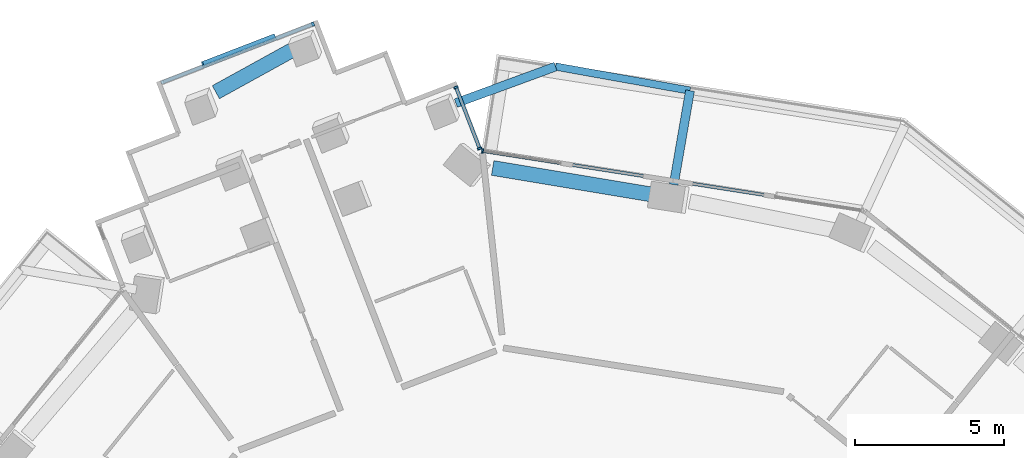
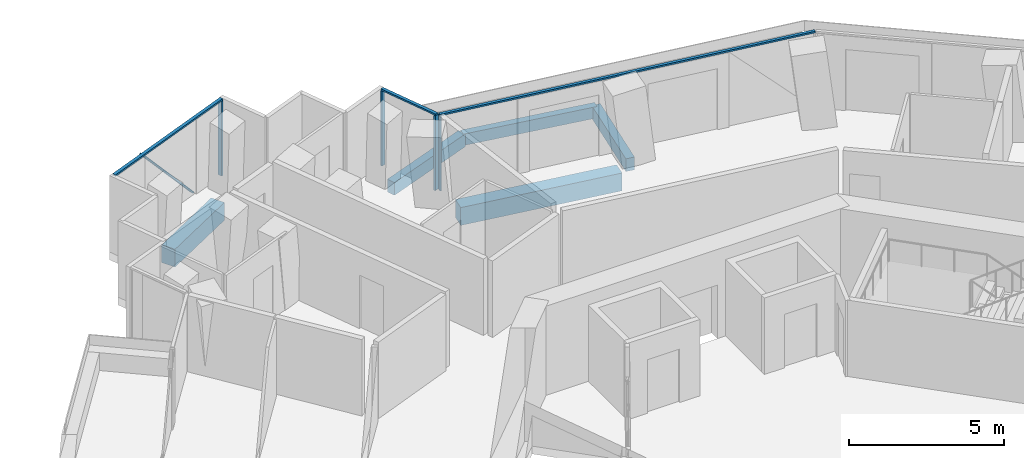
# One storey, part 8 of 23: 8 members, 5 beams, 3 elements without a shape of their own.
"""IFC4 building model written with IfcOpenShell, lengths in metres."""

from ifc_helpers import new_model, si_unit, direction, frame, origin, origin_2d, place, context, subcontext, project, spatial, rectangle, extrude, material, layer, layer_set, material_profile, profile_set, type_object, element, aggregate, save


model = new_model("IFC4")

# Units and contexts
model_context = context("Model", 3, precision=1e-05, world=origin(), true_north=direction((0.0, 1.0)))
body_context = subcontext(model_context, "Body", "Model", "MODEL_VIEW")
ifc_project = project(units=[si_unit("LENGTHUNIT", "METRE"), si_unit("AREAUNIT", "SQUARE_METRE"), si_unit("VOLUMEUNIT", "CUBIC_METRE"), si_unit("PLANEANGLEUNIT", "RADIAN"), si_unit("MASSUNIT", "GRAM", prefix="KILO")], contexts=[model_context])

# Site, building, storey
site_placement = place(None, origin())
site = spatial("IfcSite", under=ifc_project, at=site_placement, CompositionType="ELEMENT")
building_placement = place(site_placement, origin())
building = spatial("IfcBuilding", under=site, at=building_placement, Name="Verdalira Terraces Hotel", CompositionType="ELEMENT")
storey_placement = place(building_placement, frame((0.0, 0.0, 118.5)))
storey = spatial("IfcBuildingStorey", under=building, at=storey_placement, Name="L28", CompositionType="ELEMENT", Elevation=118.5)

# Beams
ifc_material_1 = material(Name="Concrete C40", Category="concrete")
ifc_material_profile_1 = material_profile(ifc_material_1, rectangle(XDim=0.300049, YDim=0.5, at=origin_2d()), Name="RC 300X500")
ifc_profile_set_1 = profile_set([ifc_material_profile_1], Name="Concrete C40")
beam_type_1 = type_object("IfcBeamType", Name="Balcony cantilever beam RC 300X500 C40", PredefinedType="BEAM", material=ifc_profile_set_1)
beam_1_placement = place(storey_placement, frame((3.755859, 23.762939, -0.560059), z_axis=(0.170851886, 0.985296723, 0.0), x_axis=(-0.985296723, 0.170851886, 0.0)))
element("IfcBeam", 1, at=beam_1_placement, inside=storey, type_object=beam_type_1, Name="Balcony cantilever beam R40-4", PredefinedType="BEAM", context=body_context, shape_type="SweptSolid", body=[
    extrude(rectangle(XDim=0.300049, YDim=0.5, at=origin_2d()), origin(), (0.0, 0.0, 1.0), 3.200928),
])
beam_2_placement = place(storey_placement, frame((-3.557373, 26.497314, -0.560059), z_axis=(0.938743461, 0.344616764, 0.0), x_axis=(-0.344616764, 0.938743461, 0.0)))
element("IfcBeam", 2, at=beam_2_placement, inside=storey, type_object=beam_type_1, Name="Balcony cantilever beam R40-5", PredefinedType="BEAM", context=body_context, shape_type="SweptSolid", body=[
    extrude(rectangle(XDim=0.300049, YDim=0.5, at=origin_2d()), origin(), (0.0, 0.0, 1.0), 3.565674),
])
ifc_material_2 = material(Name="Concrete C40", Category="concrete")
ifc_material_profile_2 = material_profile(ifc_material_2, rectangle(XDim=0.25, YDim=0.449951, at=origin_2d()), Name="RC 250X450")
ifc_profile_set_2 = profile_set([ifc_material_profile_2], Name="Concrete C40")
beam_type_2 = type_object("IfcBeamType", Name="Balcony edge beam RC 250X450 C40", PredefinedType="BEAM", material=ifc_profile_set_2)
beam_3_placement = place(storey_placement, frame((4.302734, 26.916748, -0.534912), z_axis=(-0.984297312, 0.17651856, 0.0), x_axis=(-0.17651856, -0.984297312, 0.0)))
element("IfcBeam", 3, at=beam_3_placement, inside=storey, type_object=beam_type_2, Name="Balcony edge beam R40-4", PredefinedType="BEAM", context=body_context, shape_type="SweptSolid", body=[
    extrude(rectangle(XDim=0.25, YDim=0.449951, at=origin_2d()), origin(), (0.0, 0.0, 1.0), 4.584961),
])

# Curtain wall, members
ifc_material_3 = material(Name="Clear glass", Category="glass")
ifc_layer_1 = layer(ifc_material_3, 0.14990234375)
ifc_layer_set_1 = layer_set([ifc_layer_1], Name="CW1 curtain wall")
curtain_wall_type_1 = type_object("IfcCurtainWallType", Name="CW1 curtain wall", PredefinedType="NOTDEFINED", material=ifc_layer_set_1)
curtain_wall_1_placement = place(storey_placement, origin())
curtain_wall_1 = element("IfcCurtainWall", 4, at=curtain_wall_1_placement, inside=storey, type_object=curtain_wall_type_1, Name="CW1 curtain wall L28 edge 41", PredefinedType="NOTDEFINED")
ifc_material_4 = material(Name="Terracotta frame", Category="masonry")
ifc_material_profile_3 = material_profile(ifc_material_4, rectangle(XDim=0.060059, YDim=0.149902, at=origin_2d()), Name="MU 60x150")
ifc_profile_set_3 = profile_set([ifc_material_profile_3], Name="Terracotta frame")
member_type_1 = type_object("IfcMemberType", Name="CW1 mullion 60x150", PredefinedType="MULLION", material=ifc_profile_set_3)
member_1_placement = place(storey_placement, frame((-2.659424, 24.89209, 0.0), z_axis=(0.0, 0.0, 1.0), x_axis=(-0.98801381, 0.154365514, 0.0)))
member_1 = element("IfcMember", 5, at=member_1_placement, type_object=member_type_1, Name="CW1 mullion", PredefinedType="MULLION", context=body_context, shape_type="SweptSolid", body=[
    extrude(rectangle(XDim=0.060059, YDim=0.149902, at=origin_2d()), origin(), (0.0, 0.0, 1.0), 2.935059),
])
ifc_material_5 = material(Name="Terracotta frame", Category="masonry")
ifc_material_profile_4 = material_profile(ifc_material_5, rectangle(XDim=0.110107, YDim=0.064941, at=origin_2d()), Name="TR 65x110")
ifc_profile_set_4 = profile_set([ifc_material_profile_4], Name="Terracotta frame")
member_type_2 = type_object("IfcMemberType", Name="CW1 transom 65x110", PredefinedType="USERDEFINED", material=ifc_profile_set_4)
member_2_placement = place(storey_placement, frame((10.115479, 22.89624, 2.967529), z_axis=(-0.988014458, 0.154361364, 0.0), x_axis=(-0.154361364, -0.988014458, 0.0)))
member_2 = element("IfcMember", 6, at=member_2_placement, type_object=member_type_2, Name="CW1 transom", ObjectType="TRANSOM", PredefinedType="USERDEFINED", context=body_context, shape_type="SweptSolid", body=[
    extrude(rectangle(XDim=0.110107, YDim=0.064941, at=origin_2d()), origin(), (0.0, 0.0, 1.0), 12.959717),
])
aggregate(curtain_wall_1, [member_1, member_2])

ifc_material_6 = material(Name="Clear glass", Category="glass")
ifc_layer_2 = layer(ifc_material_6, 0.14990234375)
ifc_layer_set_2 = layer_set([ifc_layer_2], Name="CW2 curtain wall")
curtain_wall_type_2 = type_object("IfcCurtainWallType", Name="CW2 curtain wall", PredefinedType="NOTDEFINED", material=ifc_layer_set_2)
curtain_wall_2_placement = place(storey_placement, origin())
curtain_wall_2 = element("IfcCurtainWall", 7, at=curtain_wall_2_placement, inside=storey, type_object=curtain_wall_type_2, Name="CW2 curtain wall L28 edge 0", PredefinedType="NOTDEFINED")
ifc_material_7 = material(Name="Terracotta frame", Category="masonry")
ifc_material_profile_5 = material_profile(ifc_material_7, rectangle(XDim=0.070068, YDim=0.149902, at=origin_2d()), Name="MU 70x150")
ifc_profile_set_5 = profile_set([ifc_material_profile_5], Name="Terracotta frame")
member_type_3 = type_object("IfcMemberType", Name="CW2 mullion 70x150", PredefinedType="MULLION", material=ifc_profile_set_5)
member_3_placement = place(storey_placement, frame((-2.76001, 24.976562, 0.0), z_axis=(0.0, 0.0, 1.0), x_axis=(-0.360322448, 0.932827815, 0.0)))
member_3 = element("IfcMember", 8, at=member_3_placement, type_object=member_type_3, Name="CW2 mullion", PredefinedType="MULLION", context=body_context, shape_type="SweptSolid", body=[
    extrude(rectangle(XDim=0.070068, YDim=0.149902, at=origin_2d()), origin(), (0.0, 0.0, 1.0), 2.935059),
])
member_4_placement = place(storey_placement, frame((-3.552246, 27.027344, 0.0), z_axis=(0.0, 0.0, 1.0), x_axis=(-0.360322448, 0.932827815, 0.0)))
member_4 = element("IfcMember", 9, at=member_4_placement, type_object=member_type_3, Name="CW2 mullion", PredefinedType="MULLION", context=body_context, shape_type="SweptSolid", body=[
    extrude(rectangle(XDim=0.070068, YDim=0.149902, at=origin_2d()), origin(), (0.0, 0.0, 1.0), 2.935059),
])
ifc_material_8 = material(Name="Terracotta frame", Category="masonry")
ifc_material_profile_6 = material_profile(ifc_material_8, rectangle(XDim=0.11499, YDim=0.064941, at=origin_2d()), Name="TR 65x115")
ifc_profile_set_6 = profile_set([ifc_material_profile_6], Name="Terracotta frame")
member_type_4 = type_object("IfcMemberType", Name="CW2 transom 65x115", PredefinedType="USERDEFINED", material=ifc_profile_set_6)
member_5_placement = place(storey_placement, frame((-2.747314, 24.943848, 2.967529), z_axis=(-0.360305637, 0.932834309, 0.0), x_axis=(-0.932834309, -0.360305637, 0.0)))
member_5 = element("IfcMember", 10, at=member_5_placement, type_object=member_type_4, Name="CW2 transom", ObjectType="TRANSOM", PredefinedType="USERDEFINED", context=body_context, shape_type="SweptSolid", body=[
    extrude(rectangle(XDim=0.11499, YDim=0.064941, at=origin_2d()), origin(), (0.0, 0.0, 1.0), 2.268555),
])
aggregate(curtain_wall_2, [member_3, member_4, member_5])

ifc_material_9 = material(Name="Clear glass", Category="glass")
ifc_layer_3 = layer(ifc_material_9, 0.14990234375)
ifc_layer_set_3 = layer_set([ifc_layer_3], Name="CW3 curtain wall")
curtain_wall_type_3 = type_object("IfcCurtainWallType", Name="CW3 curtain wall", PredefinedType="NOTDEFINED", material=ifc_layer_set_3)
curtain_wall_3_placement = place(storey_placement, origin())
curtain_wall_3 = element("IfcCurtainWall", 11, at=curtain_wall_3_placement, inside=storey, type_object=curtain_wall_type_3, Name="CW3 curtain wall L28 edge 5", PredefinedType="NOTDEFINED")
ifc_material_10 = material(Name="Terracotta frame", Category="masonry")
ifc_material_profile_7 = material_profile(ifc_material_10, rectangle(XDim=0.080078, YDim=0.149902, at=origin_2d()), Name="MU 80x150")
ifc_profile_set_7 = profile_set([ifc_material_profile_7], Name="Terracotta frame")
member_type_5 = type_object("IfcMemberType", Name="CW3 mullion 80x150", PredefinedType="MULLION", material=ifc_profile_set_7)
member_6_placement = place(storey_placement, frame((-8.354492, 29.149658, 0.0), z_axis=(0.0, 0.0, 1.0), x_axis=(-0.932827815, -0.360322448, 0.0)))
member_6 = element("IfcMember", 12, at=member_6_placement, type_object=member_type_5, Name="CW3 mullion", PredefinedType="MULLION", context=body_context, shape_type="SweptSolid", body=[
    extrude(rectangle(XDim=0.080078, YDim=0.149902, at=origin_2d()), origin(), (0.0, 0.0, 1.0), 2.935059),
])
ifc_material_11 = material(Name="Terracotta frame", Category="masonry")
ifc_material_profile_8 = material_profile(ifc_material_11, rectangle(XDim=0.120117, YDim=0.064941, at=origin_2d()), Name="TR 65x120")
ifc_profile_set_8 = profile_set([ifc_material_profile_8], Name="Terracotta frame")
member_type_6 = type_object("IfcMemberType", Name="CW3 transom 65x120", PredefinedType="USERDEFINED", material=ifc_profile_set_8)
member_7_placement = place(storey_placement, frame((-8.317139, 29.164062, 2.967529), z_axis=(-0.932834419, -0.360305352, 0.0), x_axis=(0.360305352, -0.932834419, 0.0)))
member_7 = element("IfcMember", 13, at=member_7_placement, type_object=member_type_6, Name="CW3 transom", ObjectType="TRANSOM", PredefinedType="USERDEFINED", context=body_context, shape_type="SweptSolid", body=[
    extrude(rectangle(XDim=0.120117, YDim=0.064941, at=origin_2d()), origin(), (0.0, 0.0, 1.0), 5.5),
])
ifc_material_12 = material(Name="Terracotta frame", Category="masonry")
ifc_material_profile_9 = material_profile(ifc_material_12, rectangle(XDim=0.149902, YDim=0.060059, at=origin_2d()), Name="GB 60x150")
ifc_profile_set_9 = profile_set([ifc_material_profile_9], Name="Terracotta frame")
member_type_7 = type_object("IfcMemberType", Name="Diagonal glazing bar 60x150", PredefinedType="USERDEFINED", material=ifc_profile_set_9)
member_8_placement = place(storey_placement, frame((-9.648926, 28.749268, 0.026367), z_axis=(-0.622754091, -0.240524973, 0.744530106), x_axis=(0.360289061, -0.932840711, 0.0)))
member_8 = element("IfcMember", 14, at=member_8_placement, type_object=member_type_7, Name="Diagonal glazing bar", ObjectType="GLAZING BAR", PredefinedType="USERDEFINED", context=body_context, shape_type="SweptSolid", body=[
    extrude(rectangle(XDim=0.149902, YDim=0.060059, at=origin_2d()), origin(), (0.0, 0.0, 1.0), 3.871338),
])
aggregate(curtain_wall_3, [member_6, member_7, member_8])

# Beams
ifc_material_13 = material(Name="Concrete C70", Category="concrete")
ifc_material_profile_10 = material_profile(ifc_material_13, rectangle(XDim=0.5, YDim=0.699951, at=origin_2d()), Name="RC 500X700")
ifc_profile_set_10 = profile_set([ifc_material_profile_10], Name="Concrete C70")
beam_type_3 = type_object("IfcBeamType", Name="Spandrel beam RC 500X700 C70", PredefinedType="SPANDREL", material=ifc_profile_set_10)
beam_4_placement = place(storey_placement, frame((-8.920654, 28.349609, -0.659912), z_axis=(-0.875736226, -0.482789874, 0.0), x_axis=(0.482789874, -0.875736226, 0.0)))
element("IfcBeam", 15, at=beam_4_placement, inside=storey, type_object=beam_type_3, Name="Spandrel beam B01", PredefinedType="SPANDREL", context=body_context, shape_type="SweptSolid", body=[
    extrude(rectangle(XDim=0.5, YDim=0.699951, at=origin_2d()), origin(), (0.0, 0.0, 1.0), 3.076172),
])
beam_5_placement = place(storey_placement, frame((3.147949, 23.408447, -0.659912), z_axis=(-0.986348667, 0.164670298, 0.0), x_axis=(-0.164670298, -0.986348667, 0.0)))
element("IfcBeam", 16, at=beam_5_placement, inside=storey, type_object=beam_type_3, Name="Spandrel beam B25", PredefinedType="SPANDREL", context=body_context, shape_type="SweptSolid", body=[
    extrude(rectangle(XDim=0.5, YDim=0.699951, at=origin_2d()), origin(), (0.0, 0.0, 1.0), 5.544922),
])

save(model, "model.ifc")
